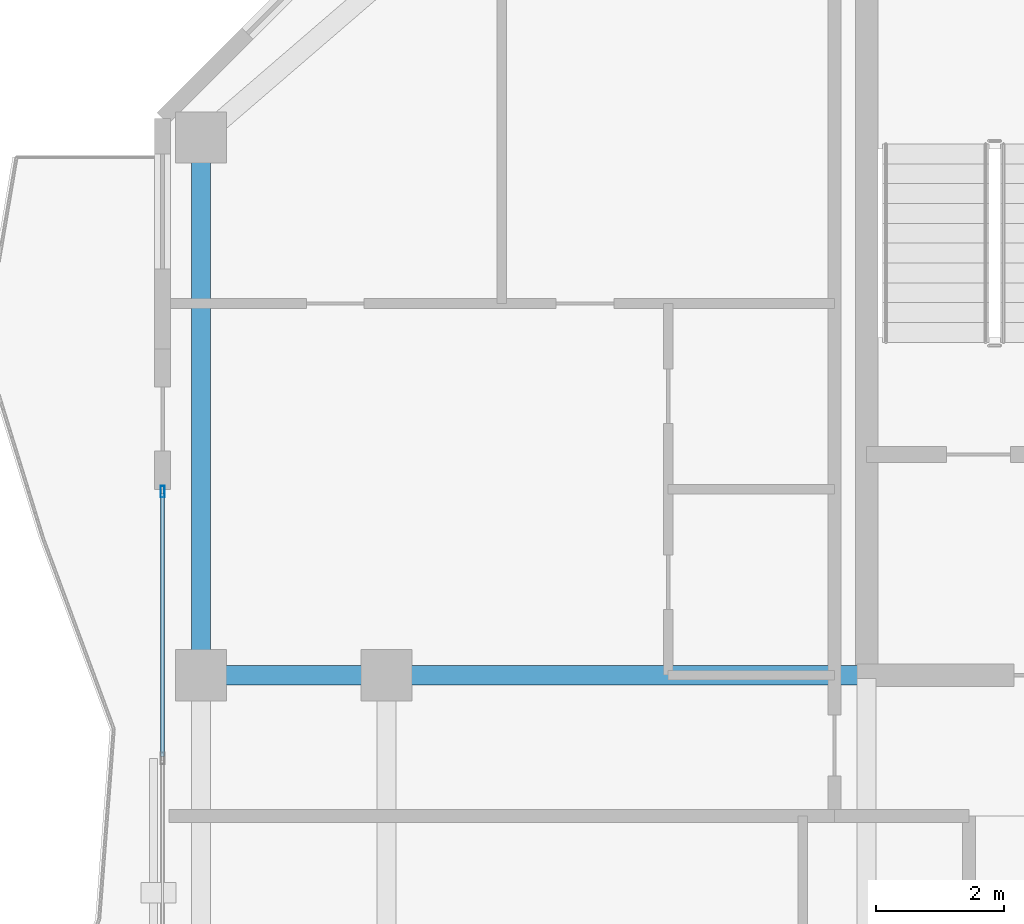
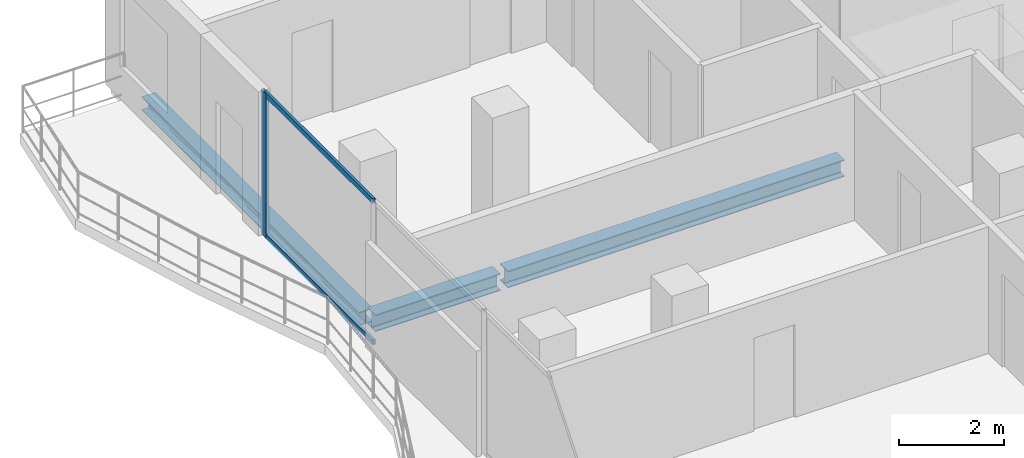
# One storey, part 9 of 24: 3 beams, 3 members, 1 element without a shape of its own.
"""IFC4 building model written with IfcOpenShell, lengths in metres."""

from ifc_helpers import new_model, si_unit, direction, frame, origin, origin_2d, place, context, subcontext, project, spatial, hollow_rectangle, i_section, extrude, material, layer, layer_set, material_profile, profile_set, type_object, element, aggregate, save


model = new_model("IFC4")

# Units and contexts
model_context = context("Model", 3, precision=1e-05, world=origin(), true_north=direction((0.0, 1.0)))
body_context = subcontext(model_context, "Body", "Model", "MODEL_VIEW")
ifc_project = project(units=[si_unit("LENGTHUNIT", "METRE"), si_unit("AREAUNIT", "SQUARE_METRE"), si_unit("VOLUMEUNIT", "CUBIC_METRE"), si_unit("PLANEANGLEUNIT", "RADIAN"), si_unit("MASSUNIT", "GRAM", prefix="KILO")], contexts=[model_context])

# Site, building, storey
site_placement = place(None, origin())
site = spatial("IfcSite", under=ifc_project, at=site_placement, CompositionType="ELEMENT")
building_placement = place(site_placement, origin())
building = spatial("IfcBuilding", under=site, at=building_placement, Name="Catumbela Crestline Tower", CompositionType="ELEMENT")
storey_placement = place(building_placement, frame((0.0, 0.0, 154.2)))
storey = spatial("IfcBuildingStorey", under=building, at=storey_placement, Name="L39", CompositionType="ELEMENT", Elevation=154.2)

# Beams
ifc_material_1 = material(Name="Structural steel S355J2", Category="steel")
ifc_material_profile_1 = material_profile(ifc_material_1, i_section(OverallWidth=0.3, OverallDepth=0.39, WebThickness=0.011, FlangeThickness=0.019, FilletRadius=0.027, at=origin_2d()), Name="HEA 400")
ifc_profile_set_1 = profile_set([ifc_material_profile_1], Name="Structural steel S355J2")
beam_type_1 = type_object("IfcBeamType", Name="BG-HEA400", PredefinedType="BEAM", material=ifc_profile_set_1)
beam_1_placement = place(storey_placement, frame((5.68, 30.8, -0.455), z_axis=(1.0, 0.0, 0.0), x_axis=(0.0, 1.0, 0.0)))
element("IfcBeam", 1, at=beam_1_placement, inside=storey, type_object=beam_type_1, Name="L39 Beam BM-L39-M06", PredefinedType="BEAM", context=body_context, shape_type="SweptSolid", body=[
    extrude(i_section(OverallWidth=0.3, OverallDepth=0.39, WebThickness=0.011, FlangeThickness=0.019, FilletRadius=0.027, at=origin_2d()), origin(), (0.0, 0.0, 1.0), 2.74),
])
beam_2_placement = place(storey_placement, frame((8.58, 30.8, -0.455), z_axis=(1.0, 0.0, 0.0), x_axis=(0.0, 1.0, 0.0)))
element("IfcBeam", 2, at=beam_2_placement, inside=storey, type_object=beam_type_1, Name="L39 Beam BM-L39-M07", PredefinedType="BEAM", context=body_context, shape_type="SweptSolid", body=[
    extrude(i_section(OverallWidth=0.3, OverallDepth=0.39, WebThickness=0.011, FlangeThickness=0.019, FilletRadius=0.027, at=origin_2d()), origin(), (0.0, 0.0, 1.0), 7.37),
])

# Curtain wall, member
ifc_material_2 = material(Name="Aluminium alloy AW-6060-T66", Category="aluminium")
ifc_layer = layer(ifc_material_2, 0.18, Name="Aluminium alloy AW-6060-T66")
ifc_layer_set = layer_set([ifc_layer], Name="Aluminium alloy AW-6060-T66")
curtain_wall_type = type_object("IfcCurtainWallType", Name="CWU-Z3", PredefinedType="USERDEFINED", material=ifc_layer_set)
curtain_wall_placement = place(storey_placement, origin())
curtain_wall = element("IfcCurtainWall", 3, at=curtain_wall_placement, inside=storey, type_object=curtain_wall_type, Name="L39 Unitised Curtain Wall CW-L39-E9S2", ObjectType="UNITISED", PredefinedType="USERDEFINED")
ifc_material_profile_2 = material_profile(ifc_material_2, hollow_rectangle(XDim=0.065, YDim=0.18, WallThickness=0.004, at=origin_2d()), Name="ALU 180x65x4")
ifc_profile_set_2 = profile_set([ifc_material_profile_2], Name="Aluminium alloy AW-6060-T66")
member_type_1 = type_object("IfcMemberType", Name="MUL-180X65", PredefinedType="MULLION", material=ifc_profile_set_2)
member_1_placement = place(storey_placement, frame((5.0, 33.6675, 0.0), z_axis=(0.0, 0.0, 1.0), x_axis=(1.0, 0.0, 0.0)))
member_1 = element("IfcMember", 4, at=member_1_placement, type_object=member_type_1, Name="CWU-Z3 mullion 1", PredefinedType="MULLION", context=body_context, shape_type="SweptSolid", body=[
    extrude(hollow_rectangle(XDim=0.065, YDim=0.18, WallThickness=0.004, at=origin_2d()), origin(), (0.0, 0.0, 1.0), 3.33),
])

# Beam
ifc_material_profile_3 = material_profile(ifc_material_1, i_section(OverallWidth=0.3, OverallDepth=0.31, WebThickness=0.009, FlangeThickness=0.0155, FilletRadius=0.027, at=origin_2d()), Name="HEA 320")
ifc_profile_set_3 = profile_set([ifc_material_profile_3], Name="Structural steel S355J2")
beam_type_2 = type_object("IfcBeamType", Name="BS-HEA320", PredefinedType="SPANDREL", material=ifc_profile_set_3)
beam_3_placement = place(storey_placement, frame((5.6, 30.88, -0.415), z_axis=(0.0, 1.0, 0.0), x_axis=(-1.0, 0.0, 0.0)))
element("IfcBeam", 5, at=beam_3_placement, inside=storey, type_object=beam_type_2, Name="L39 Spandrel SP-L39-SN15", PredefinedType="SPANDREL", context=body_context, shape_type="SweptSolid", body=[
    extrude(i_section(OverallWidth=0.3, OverallDepth=0.31, WebThickness=0.009, FlangeThickness=0.0155, FilletRadius=0.027, at=origin_2d()), origin(), (0.0, 0.0, 1.0), 8.24),
])

# Member
ifc_material_profile_4 = material_profile(ifc_material_2, hollow_rectangle(XDim=0.06, YDim=0.12, WallThickness=0.0035, at=origin_2d()), Name="ALU 120x60x3.5")
ifc_profile_set_4 = profile_set([ifc_material_profile_4], Name="Aluminium alloy AW-6060-T66")
member_type_2 = type_object("IfcMemberType", Name="TRN-120X60", PredefinedType="USERDEFINED", material=ifc_profile_set_4)
member_2_placement = place(storey_placement, frame((5.0, 33.635, 0.03), z_axis=(0.0, -1.0, 0.0), x_axis=(1.0, 0.0, 0.0)))
member_2 = element("IfcMember", 6, at=member_2_placement, type_object=member_type_2, Name="CWU-Z3 transom 1.1", ObjectType="TRANSOM", PredefinedType="USERDEFINED", context=body_context, shape_type="SweptSolid", body=[
    extrude(hollow_rectangle(XDim=0.06, YDim=0.12, WallThickness=0.0035, at=origin_2d()), origin(), (0.0, 0.0, 1.0), 4.1025),
])

member_3_placement = place(storey_placement, frame((5.0, 33.635, 3.3), z_axis=(0.0, -1.0, 0.0), x_axis=(1.0, 0.0, 0.0)))
member_3 = element("IfcMember", 7, at=member_3_placement, type_object=member_type_2, Name="CWU-Z3 transom 1.2", ObjectType="TRANSOM", PredefinedType="USERDEFINED", context=body_context, shape_type="SweptSolid", body=[
    extrude(hollow_rectangle(XDim=0.06, YDim=0.12, WallThickness=0.0035, at=origin_2d()), origin(), (0.0, 0.0, 1.0), 4.1025),
])

aggregate(curtain_wall, [member_1, member_2, member_3])

save(model, "model.ifc")
